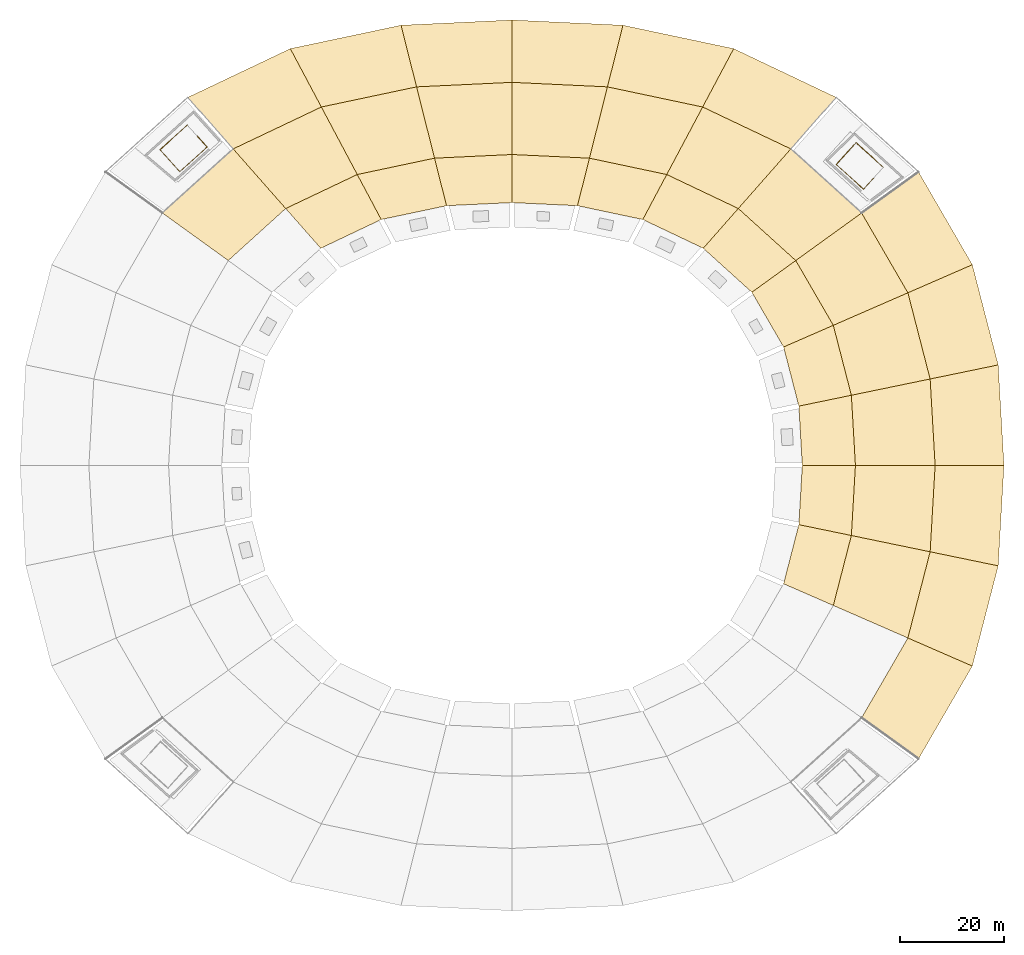
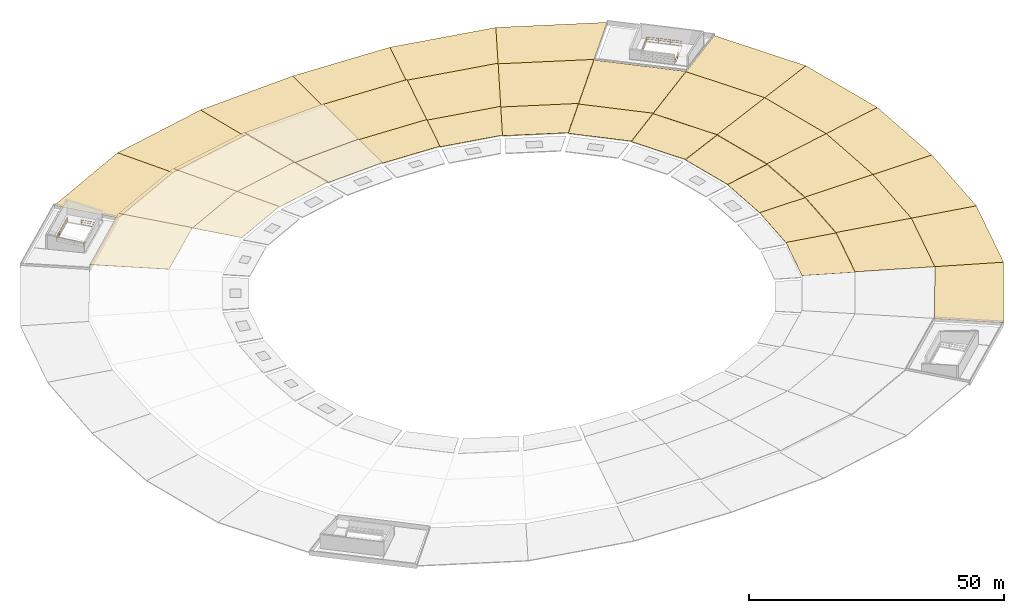
# One storey, part 5 of 5: 37 coverings, 2 railings.
"""IFC4 building model written with IfcOpenShell, lengths in metres."""

from ifc_helpers import new_model, si_unit, direction, frame, origin, origin_2d, place, context, subcontext, project, spatial, polyline, rectangle, outline, extrude, material, layer, layer_set, type_object, element, save


model = new_model("IFC4")

# Units and contexts
model_context = context("Model", 3, precision=1e-05, world=origin(), true_north=direction((0.0, 1.0)))
body_context = subcontext(model_context, "Body", "Model", "MODEL_VIEW")
ifc_project = project(units=[si_unit("LENGTHUNIT", "METRE"), si_unit("AREAUNIT", "SQUARE_METRE"), si_unit("VOLUMEUNIT", "CUBIC_METRE"), si_unit("PLANEANGLEUNIT", "RADIAN"), si_unit("MASSUNIT", "GRAM", prefix="KILO")], contexts=[model_context])

# Site, building, storey
site_placement = place(None, origin())
site = spatial("IfcSite", under=ifc_project, at=site_placement, CompositionType="ELEMENT")
building_placement = place(site_placement, origin())
building = spatial("IfcBuilding", under=site, at=building_placement, Name="Kazemori Nagisa Stadium", CompositionType="ELEMENT")
storey_placement = place(building_placement, frame((0.0, 0.0, 42.159912109375)))
storey = spatial("IfcBuildingStorey", under=building, at=storey_placement, Name="ROOF", CompositionType="ELEMENT", Elevation=42.159912109375)

# Coverings
ifc_material_1 = material(Name="PTFE architectural membrane", Category="membrane")
ifc_layer = layer(ifc_material_1, 0.0400390625, Name="PTFE architectural membrane", Category="membrane")
ifc_layer_set = layer_set([ifc_layer], Name="PTFE architectural membrane")
covering_type = type_object("IfcCoveringType", Name="Covering_PTFE", PredefinedType="ROOFING", material=ifc_layer_set)
covering_1_placement = place(storey_placement, frame((0.0, 0.0, 0.594970703125)))
element("IfcCovering", 1, at=covering_1_placement, inside=storey, type_object=covering_type, Name="PTFE canopy membrane B01-outer", PredefinedType="ROOFING", context=body_context, shape_type="SweptSolid", body=[
    extrude(outline(polyline([(218.0, 102.0), (216.880859375, 121.397705078125), (203.737548828125, 118.68212890625), (204.699951171875, 102.0), (218.0, 102.0)])), origin(), (0.0, 0.0, 1.0), 0.0400390625),
])
covering_2_placement = place(storey_placement, frame((0.0, 0.0, 0.594970703125)))
element("IfcCovering", 2, at=covering_2_placement, inside=storey, type_object=covering_type, Name="PTFE canopy membrane B01-mid", PredefinedType="ROOFING", context=body_context, shape_type="SweptSolid", body=[
    extrude(outline(polyline([(204.699951171875, 102.0), (203.737548828125, 118.68212890625), (188.52880859375, 115.53955078125), (189.31005859375, 102.0), (204.699951171875, 102.0)])), origin(), (0.0, 0.0, 1.0), 0.0400390625),
])
covering_3_placement = place(storey_placement, frame((0.0, 0.0, 0.43310546875)))
element("IfcCovering", 3, at=covering_3_placement, inside=storey, type_object=covering_type, Name="PTFE canopy membrane B01-inner", PredefinedType="ROOFING", context=body_context, shape_type="SweptSolid", body=[
    extrude(outline(polyline([(189.31005859375, 102.0), (188.52880859375, 115.53955078125), (178.3896484375, 113.444580078125), (179.050048828125, 102.0), (189.31005859375, 102.0)])), origin(), (0.0, 0.0, 1.0), 0.0400390625),
])
covering_4_placement = place(storey_placement, frame((0.0, 0.0, 0.594970703125)))
element("IfcCovering", 4, at=covering_4_placement, inside=storey, type_object=covering_type, Name="PTFE canopy membrane B02-outer", PredefinedType="ROOFING", context=body_context, shape_type="SweptSolid", body=[
    extrude(outline(polyline([(216.880859375, 121.397705078125), (211.885009765625, 140.74951171875), (199.44091796875, 135.32470703125), (203.737548828125, 118.68212890625), (216.880859375, 121.397705078125)])), origin(), (0.0, 0.0, 1.0), 0.0400390625),
])
covering_5_placement = place(storey_placement, frame((0.0, 0.0, 0.594970703125)))
element("IfcCovering", 5, at=covering_5_placement, inside=storey, type_object=covering_type, Name="PTFE canopy membrane B02-mid", PredefinedType="ROOFING", context=body_context, shape_type="SweptSolid", body=[
    extrude(outline(polyline([(203.737548828125, 118.68212890625), (199.44091796875, 135.32470703125), (185.041748046875, 129.047119140625), (188.52880859375, 115.53955078125), (203.737548828125, 118.68212890625)])), origin(), (0.0, 0.0, 1.0), 0.0400390625),
])
covering_6_placement = place(storey_placement, frame((0.0, 0.0, 0.487060546875)))
element("IfcCovering", 6, at=covering_6_placement, inside=storey, type_object=covering_type, Name="PTFE canopy membrane B02-inner", PredefinedType="ROOFING", context=body_context, shape_type="SweptSolid", body=[
    extrude(outline(polyline([(188.52880859375, 115.53955078125), (185.041748046875, 129.047119140625), (175.442138671875, 124.8623046875), (178.3896484375, 113.444580078125), (188.52880859375, 115.53955078125)])), origin(), (0.0, 0.0, 1.0), 0.0400390625),
])
covering_7_placement = place(storey_placement, frame((0.0, 0.0, 0.594970703125)))
element("IfcCovering", 7, at=covering_7_placement, inside=storey, type_object=covering_type, Name="PTFE canopy membrane B03-outer", PredefinedType="ROOFING", context=body_context, shape_type="SweptSolid", body=[
    extrude(outline(polyline([(211.885009765625, 140.74951171875), (201.495361328125, 158.667724609375), (190.506103515625, 150.734130859375), (199.44091796875, 135.32470703125), (211.885009765625, 140.74951171875)])), origin(), (0.0, 0.0, 1.0), 0.0400390625),
])
covering_8_placement = place(storey_placement, frame((0.0, 0.0, 0.594970703125)))
element("IfcCovering", 8, at=covering_8_placement, inside=storey, type_object=covering_type, Name="PTFE canopy membrane B03-mid", PredefinedType="ROOFING", context=body_context, shape_type="SweptSolid", body=[
    extrude(outline(polyline([(199.44091796875, 135.32470703125), (190.506103515625, 150.734130859375), (177.789794921875, 141.553955078125), (185.041748046875, 129.047119140625), (199.44091796875, 135.32470703125)])), origin(), (0.0, 0.0, 1.0), 0.0400390625),
])
covering_9_placement = place(storey_placement, frame((0.0, 0.0, 0.572998046875)))
element("IfcCovering", 9, at=covering_9_placement, inside=storey, type_object=covering_type, Name="PTFE canopy membrane B03-inner", PredefinedType="ROOFING", context=body_context, shape_type="SweptSolid", body=[
    extrude(outline(polyline([(185.041748046875, 129.047119140625), (177.789794921875, 141.553955078125), (169.312255859375, 135.433837890625), (175.442138671875, 124.8623046875), (185.041748046875, 129.047119140625)])), origin(), (0.0, 0.0, 1.0), 0.0400390625),
])
covering_10_placement = place(storey_placement, frame((0.0, 0.0, 0.68798828125)))
element("IfcCovering", 10, at=covering_10_placement, inside=storey, type_object=covering_type, Name="PTFE canopy membrane B04-mid", PredefinedType="ROOFING", context=body_context, shape_type="SweptSolid", body=[
    extrude(outline(polyline([(190.506103515625, 150.734130859375), (176.834228515625, 163.11083984375), (166.693359375, 151.59912109375), (177.789794921875, 141.553955078125), (190.506103515625, 150.734130859375)])), origin(), (0.0, 0.0, 1.0), 0.0400390625),
])
covering_11_placement = place(storey_placement, frame((0.0, 0.0, 0.68798828125)))
element("IfcCovering", 11, at=covering_11_placement, inside=storey, type_object=covering_type, Name="PTFE canopy membrane B04-inner", PredefinedType="ROOFING", context=body_context, shape_type="SweptSolid", body=[
    extrude(outline(polyline([(177.789794921875, 141.553955078125), (166.693359375, 151.59912109375), (159.932861328125, 143.9248046875), (169.312255859375, 135.433837890625), (177.789794921875, 141.553955078125)])), origin(), (0.0, 0.0, 1.0), 0.0400390625),
])
covering_12_placement = place(storey_placement, frame((0.0, 0.0, 0.594970703125)))
element("IfcCovering", 12, at=covering_12_placement, inside=storey, type_object=covering_type, Name="PTFE canopy membrane B05-outer", PredefinedType="ROOFING", context=body_context, shape_type="SweptSolid", body=[
    extrude(outline(polyline([(185.597900390625, 173.05908203125), (165.8046875, 182.46435546875), (159.81201171875, 171.19921875), (176.834228515625, 163.11083984375), (185.597900390625, 173.05908203125)])), origin(), (0.0, 0.0, 1.0), 0.0400390625),
])
covering_13_placement = place(storey_placement, frame((0.0, 0.0, 0.8251953125)))
element("IfcCovering", 13, at=covering_13_placement, inside=storey, type_object=covering_type, Name="PTFE canopy membrane B05-mid", PredefinedType="ROOFING", context=body_context, shape_type="SweptSolid", body=[
    extrude(outline(polyline([(176.834228515625, 163.11083984375), (159.81201171875, 171.19921875), (152.877685546875, 158.1640625), (166.693359375, 151.59912109375), (176.834228515625, 163.11083984375)])), origin(), (0.0, 0.0, 1.0), 0.039794921875),
])
covering_14_placement = place(storey_placement, frame((0.0, 0.0, 0.8251953125)))
element("IfcCovering", 14, at=covering_14_placement, inside=storey, type_object=covering_type, Name="PTFE canopy membrane B05-inner", PredefinedType="ROOFING", context=body_context, shape_type="SweptSolid", body=[
    extrude(outline(polyline([(166.693359375, 151.59912109375), (152.877685546875, 158.1640625), (148.2548828125, 149.473876953125), (159.932861328125, 143.9248046875), (166.693359375, 151.59912109375)])), origin(), (0.0, 0.0, 1.0), 0.039794921875),
])
covering_15_placement = place(storey_placement, frame((0.0, 0.0, 0.594970703125)))
element("IfcCovering", 15, at=covering_15_placement, inside=storey, type_object=covering_type, Name="PTFE canopy membrane B06-outer", PredefinedType="ROOFING", context=body_context, shape_type="SweptSolid", body=[
    extrude(outline(polyline([(165.8046875, 182.46435546875), (144.427734375, 186.98681640625), (141.427734375, 175.088623046875), (159.81201171875, 171.19921875), (165.8046875, 182.46435546875)])), origin(), (0.0, 0.0, 1.0), 0.0400390625),
])
covering_16_placement = place(storey_placement, frame((0.0, 0.0, 0.97900390625)))
element("IfcCovering", 16, at=covering_16_placement, inside=storey, type_object=covering_type, Name="PTFE canopy membrane B06-mid", PredefinedType="ROOFING", context=body_context, shape_type="SweptSolid", body=[
    extrude(outline(polyline([(159.81201171875, 171.19921875), (141.427734375, 175.088623046875), (137.95654296875, 161.32080078125), (152.877685546875, 158.1640625), (159.81201171875, 171.19921875)])), origin(), (0.0, 0.0, 1.0), 0.0400390625),
])
covering_17_placement = place(storey_placement, frame((0.0, 0.0, 0.97900390625)))
element("IfcCovering", 17, at=covering_17_placement, inside=storey, type_object=covering_type, Name="PTFE canopy membrane B06-inner", PredefinedType="ROOFING", context=body_context, shape_type="SweptSolid", body=[
    extrude(outline(polyline([(152.877685546875, 158.1640625), (137.95654296875, 161.32080078125), (135.642333984375, 152.142333984375), (148.2548828125, 149.473876953125), (152.877685546875, 158.1640625)])), origin(), (0.0, 0.0, 1.0), 0.0400390625),
])
covering_18_placement = place(storey_placement, frame((0.0, 0.0, 0.594970703125)))
element("IfcCovering", 18, at=covering_18_placement, inside=storey, type_object=covering_type, Name="PTFE canopy membrane B07-outer", PredefinedType="ROOFING", context=body_context, shape_type="SweptSolid", body=[
    extrude(outline(polyline([(144.427734375, 186.98681640625), (123.0, 188.0), (123.0, 175.9599609375), (141.427734375, 175.088623046875), (144.427734375, 186.98681640625)])), origin(), (0.0, 0.0, 1.0), 0.0400390625),
])
covering_19_placement = place(storey_placement, frame((0.0, 0.0, 1.14013671875)))
element("IfcCovering", 19, at=covering_19_placement, inside=storey, type_object=covering_type, Name="PTFE canopy membrane B07-mid", PredefinedType="ROOFING", context=body_context, shape_type="SweptSolid", body=[
    extrude(outline(polyline([(141.427734375, 175.088623046875), (123.0, 175.9599609375), (123.0, 162.028076171875), (137.95654296875, 161.32080078125), (141.427734375, 175.088623046875)])), origin(), (0.0, 0.0, 1.0), 0.0400390625),
])
covering_20_placement = place(storey_placement, frame((0.0, 0.0, 1.14013671875)))
element("IfcCovering", 20, at=covering_20_placement, inside=storey, type_object=covering_type, Name="PTFE canopy membrane B07-inner", PredefinedType="ROOFING", context=body_context, shape_type="SweptSolid", body=[
    extrude(outline(polyline([(137.95654296875, 161.32080078125), (123.0, 162.028076171875), (123.0, 152.739990234375), (135.642333984375, 152.142333984375), (137.95654296875, 161.32080078125)])), origin(), (0.0, 0.0, 1.0), 0.0400390625),
])
covering_21_placement = place(storey_placement, frame((0.0, 0.0, 0.594970703125)))
element("IfcCovering", 21, at=covering_21_placement, inside=storey, type_object=covering_type, Name="PTFE canopy membrane B08-outer", PredefinedType="ROOFING", context=body_context, shape_type="SweptSolid", body=[
    extrude(outline(polyline([(123.0, 188.0), (101.572265625, 186.98681640625), (104.572265625, 175.088623046875), (123.0, 175.9599609375), (123.0, 188.0)])), origin(), (0.0, 0.0, 1.0), 0.0400390625),
])
covering_22_placement = place(storey_placement, frame((0.0, 0.0, 1.301025390625)))
element("IfcCovering", 22, at=covering_22_placement, inside=storey, type_object=covering_type, Name="PTFE canopy membrane B08-mid", PredefinedType="ROOFING", context=body_context, shape_type="SweptSolid", body=[
    extrude(outline(polyline([(123.0, 175.9599609375), (104.572265625, 175.088623046875), (108.04345703125, 161.32080078125), (123.0, 162.028076171875), (123.0, 175.9599609375)])), origin(), (0.0, 0.0, 1.0), 0.0400390625),
])
covering_23_placement = place(storey_placement, frame((0.0, 0.0, 1.301025390625)))
element("IfcCovering", 23, at=covering_23_placement, inside=storey, type_object=covering_type, Name="PTFE canopy membrane B08-inner", PredefinedType="ROOFING", context=body_context, shape_type="SweptSolid", body=[
    extrude(outline(polyline([(123.0, 162.028076171875), (108.04345703125, 161.32080078125), (110.357666015625, 152.142333984375), (123.0, 152.739990234375), (123.0, 162.028076171875)])), origin(), (0.0, 0.0, 1.0), 0.0400390625),
])
covering_24_placement = place(storey_placement, frame((0.0, 0.0, 0.594970703125)))
element("IfcCovering", 24, at=covering_24_placement, inside=storey, type_object=covering_type, Name="PTFE canopy membrane B09-outer", PredefinedType="ROOFING", context=body_context, shape_type="SweptSolid", body=[
    extrude(outline(polyline([(101.572265625, 186.98681640625), (80.1953125, 182.46435546875), (86.18798828125, 171.19921875), (104.572265625, 175.088623046875), (101.572265625, 186.98681640625)])), origin(), (0.0, 0.0, 1.0), 0.0400390625),
])
covering_25_placement = place(storey_placement, frame((0.0, 0.0, 1.455078125)))
element("IfcCovering", 25, at=covering_25_placement, inside=storey, type_object=covering_type, Name="PTFE canopy membrane B09-mid", PredefinedType="ROOFING", context=body_context, shape_type="SweptSolid", body=[
    extrude(outline(polyline([(104.572265625, 175.088623046875), (86.18798828125, 171.19921875), (93.122314453125, 158.1640625), (108.04345703125, 161.32080078125), (104.572265625, 175.088623046875)])), origin(), (0.0, 0.0, 1.0), 0.0400390625),
])
covering_26_placement = place(storey_placement, frame((0.0, 0.0, 1.455078125)))
element("IfcCovering", 26, at=covering_26_placement, inside=storey, type_object=covering_type, Name="PTFE canopy membrane B09-inner", PredefinedType="ROOFING", context=body_context, shape_type="SweptSolid", body=[
    extrude(outline(polyline([(108.04345703125, 161.32080078125), (93.122314453125, 158.1640625), (97.7451171875, 149.473876953125), (110.357666015625, 152.142333984375), (108.04345703125, 161.32080078125)])), origin(), (0.0, 0.0, 1.0), 0.0400390625),
])
covering_27_placement = place(storey_placement, frame((0.0, 0.0, 0.594970703125)))
element("IfcCovering", 27, at=covering_27_placement, inside=storey, type_object=covering_type, Name="PTFE canopy membrane B10-outer", PredefinedType="ROOFING", context=body_context, shape_type="SweptSolid", body=[
    extrude(outline(polyline([(80.1953125, 182.46435546875), (60.402099609375, 173.05908203125), (69.165771484375, 163.11083984375), (86.18798828125, 171.19921875), (80.1953125, 182.46435546875)])), origin(), (0.0, 0.0, 1.0), 0.0400390625),
])
covering_28_placement = place(storey_placement, frame((0.0, 0.0, 1.592041015625)))
element("IfcCovering", 28, at=covering_28_placement, inside=storey, type_object=covering_type, Name="PTFE canopy membrane B10-mid", PredefinedType="ROOFING", context=body_context, shape_type="SweptSolid", body=[
    extrude(outline(polyline([(86.18798828125, 171.19921875), (69.165771484375, 163.11083984375), (79.306640625, 151.59912109375), (93.122314453125, 158.1640625), (86.18798828125, 171.19921875)])), origin(), (0.0, 0.0, 1.0), 0.0400390625),
])
covering_29_placement = place(storey_placement, frame((0.0, 0.0, 1.592041015625)))
element("IfcCovering", 29, at=covering_29_placement, inside=storey, type_object=covering_type, Name="PTFE canopy membrane B10-inner", PredefinedType="ROOFING", context=body_context, shape_type="SweptSolid", body=[
    extrude(outline(polyline([(93.122314453125, 158.1640625), (79.306640625, 151.59912109375), (86.067138671875, 143.9248046875), (97.7451171875, 149.473876953125), (93.122314453125, 158.1640625)])), origin(), (0.0, 0.0, 1.0), 0.0400390625),
])
covering_30_placement = place(storey_placement, frame((0.0, 0.0, 1.70703125)))
element("IfcCovering", 30, at=covering_30_placement, inside=storey, type_object=covering_type, Name="PTFE canopy membrane B11-mid", PredefinedType="ROOFING", context=body_context, shape_type="SweptSolid", body=[
    extrude(outline(polyline([(69.165771484375, 163.11083984375), (55.493896484375, 150.734130859375), (68.210205078125, 141.553955078125), (79.306640625, 151.59912109375), (69.165771484375, 163.11083984375)])), origin(), (0.0, 0.0, 1.0), 0.0400390625),
])
covering_31_placement = place(storey_placement, frame((0.0, 0.0, 0.594970703125)))
element("IfcCovering", 31, at=covering_31_placement, inside=storey, type_object=covering_type, Name="PTFE canopy membrane B26-outer", PredefinedType="ROOFING", context=body_context, shape_type="SweptSolid", body=[
    extrude(outline(polyline([(201.495361328125, 45.332275390625), (211.885009765625, 63.25048828125), (199.44091796875, 68.67529296875), (190.506103515625, 53.265869140625), (201.495361328125, 45.332275390625)])), origin(), (0.0, 0.0, 1.0), 0.0400390625),
])
covering_32_placement = place(storey_placement, frame((0.0, 0.0, 0.594970703125)))
element("IfcCovering", 32, at=covering_32_placement, inside=storey, type_object=covering_type, Name="PTFE canopy membrane B27-outer", PredefinedType="ROOFING", context=body_context, shape_type="SweptSolid", body=[
    extrude(outline(polyline([(211.885009765625, 63.25048828125), (216.880859375, 82.602294921875), (203.737548828125, 85.31787109375), (199.44091796875, 68.67529296875), (211.885009765625, 63.25048828125)])), origin(), (0.0, 0.0, 1.0), 0.0400390625),
])
covering_33_placement = place(storey_placement, frame((0.0, 0.0, 0.594970703125)))
element("IfcCovering", 33, at=covering_33_placement, inside=storey, type_object=covering_type, Name="PTFE canopy membrane B27-mid", PredefinedType="ROOFING", context=body_context, shape_type="SweptSolid", body=[
    extrude(outline(polyline([(199.44091796875, 68.67529296875), (203.737548828125, 85.31787109375), (188.52880859375, 88.46044921875), (185.041748046875, 74.952880859375), (199.44091796875, 68.67529296875)])), origin(), (0.0, 0.0, 1.0), 0.0400390625),
])
covering_34_placement = place(storey_placement, frame((0.0, 0.0, 0.487060546875)))
element("IfcCovering", 34, at=covering_34_placement, inside=storey, type_object=covering_type, Name="PTFE canopy membrane B27-inner", PredefinedType="ROOFING", context=body_context, shape_type="SweptSolid", body=[
    extrude(outline(polyline([(185.041748046875, 74.952880859375), (188.52880859375, 88.46044921875), (178.3896484375, 90.555419921875), (175.442138671875, 79.1376953125), (185.041748046875, 74.952880859375)])), origin(), (0.0, 0.0, 1.0), 0.0400390625),
])
covering_35_placement = place(storey_placement, frame((0.0, 0.0, 0.594970703125)))
element("IfcCovering", 35, at=covering_35_placement, inside=storey, type_object=covering_type, Name="PTFE canopy membrane B28-outer", PredefinedType="ROOFING", context=body_context, shape_type="SweptSolid", body=[
    extrude(outline(polyline([(216.880859375, 82.602294921875), (218.0, 102.0), (204.699951171875, 102.0), (203.737548828125, 85.31787109375), (216.880859375, 82.602294921875)])), origin(), (0.0, 0.0, 1.0), 0.0400390625),
])
covering_36_placement = place(storey_placement, frame((0.0, 0.0, 0.594970703125)))
element("IfcCovering", 36, at=covering_36_placement, inside=storey, type_object=covering_type, Name="PTFE canopy membrane B28-mid", PredefinedType="ROOFING", context=body_context, shape_type="SweptSolid", body=[
    extrude(outline(polyline([(203.737548828125, 85.31787109375), (204.699951171875, 102.0), (189.31005859375, 102.0), (188.52880859375, 88.46044921875), (203.737548828125, 85.31787109375)])), origin(), (0.0, 0.0, 1.0), 0.0400390625),
])
covering_37_placement = place(storey_placement, frame((0.0, 0.0, 0.43310546875)))
element("IfcCovering", 37, at=covering_37_placement, inside=storey, type_object=covering_type, Name="PTFE canopy membrane B28-inner", PredefinedType="ROOFING", context=body_context, shape_type="SweptSolid", body=[
    extrude(outline(polyline([(188.52880859375, 88.46044921875), (189.31005859375, 102.0), (179.050048828125, 102.0), (178.3896484375, 90.555419921875), (188.52880859375, 88.46044921875)])), origin(), (0.0, 0.0, 1.0), 0.0400390625),
])

# Railings
ifc_material_2 = material(Name="Galvanised powder-coated steel", Category="steel")
railing_type = type_object("IfcRailingType", Name="Rail_GUARD", PredefinedType="GUARDRAIL", material=ifc_material_2)
railing_1_placement = place(storey_placement, frame((192.7890625, 157.447021484375, 0.0)))
element("IfcRailing", 38, at=railing_1_placement, inside=storey, type_object=railing_type, Name="Stair well perimeter guard ST01-ROOF", PredefinedType="GUARDRAIL", context=body_context, shape_type="SweptSolid", body=[
    extrude(rectangle(XDim=0.050048828125, YDim=0.050048828125, at=origin_2d()), frame((0.0, 0.0, 1.09521484375), z_axis=(-0.671110696127, -0.741357156534, 0.0), x_axis=(0.741357156534, -0.671110696127, 0.0)), (0.0, 0.0, 1.0), 2.849853515625),
    extrude(rectangle(XDim=0.03759765625, YDim=0.03759765625, at=origin_2d()), frame((0.0, 0.0, 0.58251953125), z_axis=(-0.671110696127, -0.741357156534, 0.0), x_axis=(0.741357156534, -0.671110696127, 0.0)), (0.0, 0.0, 1.0), 2.849853515625),
    extrude(rectangle(XDim=0.03759765625, YDim=0.03759765625, at=origin_2d()), frame((0.0, 0.0, 0.02490234375), z_axis=(-0.671110696127, -0.741357156534, 0.0), x_axis=(0.741357156534, -0.671110696127, 0.0)), (0.0, 0.0, 1.0), 2.849853515625),
    extrude(rectangle(XDim=0.050048828125, YDim=0.050048828125, at=origin_2d()), frame((-1.91259765625, -2.11279296875, 1.09521484375), z_axis=(-0.741349073354, 0.671119625281, 0.0), x_axis=(-0.671119625281, -0.741349073354, 0.0)), (0.0, 0.0, 1.0), 7.09521484375),
    extrude(rectangle(XDim=0.03759765625, YDim=0.03759765625, at=origin_2d()), frame((-1.91259765625, -2.11279296875, 0.58251953125), z_axis=(-0.741349073354, 0.671119625281, 0.0), x_axis=(-0.671119625281, -0.741349073354, 0.0)), (0.0, 0.0, 1.0), 7.09521484375),
    extrude(rectangle(XDim=0.03759765625, YDim=0.03759765625, at=origin_2d()), frame((-1.91259765625, -2.11279296875, 0.02490234375), z_axis=(-0.741349073354, 0.671119625281, 0.0), x_axis=(-0.671119625281, -0.741349073354, 0.0)), (0.0, 0.0, 1.0), 7.09521484375),
    extrude(rectangle(XDim=0.050048828125, YDim=0.050048828125, at=origin_2d()), frame((-7.172607421875, 2.64892578125, 1.09521484375), z_axis=(0.67113423669, 0.74133584585, 0.0), x_axis=(-0.74133584585, 0.67113423669, 0.0)), (0.0, 0.0, 1.0), 5.699951171875),
    extrude(rectangle(XDim=0.03759765625, YDim=0.03759765625, at=origin_2d()), frame((-7.172607421875, 2.64892578125, 0.58251953125), z_axis=(0.67113423669, 0.74133584585, 0.0), x_axis=(-0.74133584585, 0.67113423669, 0.0)), (0.0, 0.0, 1.0), 5.699951171875),
    extrude(rectangle(XDim=0.03759765625, YDim=0.03759765625, at=origin_2d()), frame((-7.172607421875, 2.64892578125, 0.02490234375), z_axis=(0.67113423669, 0.74133584585, 0.0), x_axis=(-0.74133584585, 0.67113423669, 0.0)), (0.0, 0.0, 1.0), 5.699951171875),
    extrude(rectangle(XDim=0.050048828125, YDim=0.050048828125, at=origin_2d()), frame((-3.34716796875, 6.87451171875, 1.09521484375), z_axis=(0.741350695223, -0.671117833686, 0.0), x_axis=(0.671117833686, 0.741350695223, 0.0)), (0.0, 0.0, 1.0), 7.0947265625),
    extrude(rectangle(XDim=0.03759765625, YDim=0.03759765625, at=origin_2d()), frame((-3.34716796875, 6.87451171875, 0.58251953125), z_axis=(0.741350695223, -0.671117833686, 0.0), x_axis=(0.671117833686, 0.741350695223, 0.0)), (0.0, 0.0, 1.0), 7.0947265625),
    extrude(rectangle(XDim=0.03759765625, YDim=0.03759765625, at=origin_2d()), frame((-3.34716796875, 6.87451171875, 0.02490234375), z_axis=(0.741350695223, -0.671117833686, 0.0), x_axis=(0.671117833686, 0.741350695223, 0.0)), (0.0, 0.0, 1.0), 7.0947265625),
    extrude(rectangle(XDim=0.044921875, YDim=0.044921875, at=origin_2d()), origin(), (0.0, 0.0, 1.0), 1.070068359375),
    extrude(rectangle(XDim=0.044921875, YDim=0.044921875, at=origin_2d()), frame((-0.956298828125, -1.056396484375, 0.0)), (0.0, 0.0, 1.0), 1.070068359375),
    extrude(rectangle(XDim=0.044921875, YDim=0.044921875, at=origin_2d()), frame((-1.91259765625, -2.11279296875, 0.0)), (0.0, 0.0, 1.0), 1.070068359375),
    extrude(rectangle(XDim=0.044921875, YDim=0.044921875, at=origin_2d()), frame((-3.666015625, -0.525634765625, 0.0)), (0.0, 0.0, 1.0), 1.070068359375),
    extrude(rectangle(XDim=0.044921875, YDim=0.044921875, at=origin_2d()), frame((-5.419189453125, 1.061767578125, 0.0)), (0.0, 0.0, 1.0), 1.070068359375),
    extrude(rectangle(XDim=0.044921875, YDim=0.044921875, at=origin_2d()), frame((-7.172607421875, 2.64892578125, 0.0)), (0.0, 0.0, 1.0), 1.070068359375),
    extrude(rectangle(XDim=0.044921875, YDim=0.044921875, at=origin_2d()), frame((-5.8974609375, 4.057373046875, 0.0)), (0.0, 0.0, 1.0), 1.070068359375),
    extrude(rectangle(XDim=0.044921875, YDim=0.044921875, at=origin_2d()), frame((-4.622314453125, 5.466064453125, 0.0)), (0.0, 0.0, 1.0), 1.070068359375),
    extrude(rectangle(XDim=0.044921875, YDim=0.044921875, at=origin_2d()), frame((-3.34716796875, 6.87451171875, 0.0)), (0.0, 0.0, 1.0), 1.070068359375),
    extrude(rectangle(XDim=0.044921875, YDim=0.044921875, at=origin_2d()), frame((-1.593994140625, 5.287353515625, 0.0)), (0.0, 0.0, 1.0), 1.070068359375),
    extrude(rectangle(XDim=0.044921875, YDim=0.044921875, at=origin_2d()), frame((0.159423828125, 3.7001953125, 0.0)), (0.0, 0.0, 1.0), 1.070068359375),
    extrude(rectangle(XDim=0.044921875, YDim=0.044921875, at=origin_2d()), frame((1.91259765625, 2.113037109375, 0.0)), (0.0, 0.0, 1.0), 1.070068359375),
])
railing_2_placement = place(storey_placement, frame((62.20849609375, 165.59228515625, 0.0)))
element("IfcRailing", 39, at=railing_2_placement, inside=storey, type_object=railing_type, Name="Stair well perimeter guard ST02-ROOF", PredefinedType="GUARDRAIL", context=body_context, shape_type="SweptSolid", body=[
    extrude(rectangle(XDim=0.050048828125, YDim=0.050048828125, at=origin_2d()), frame((0.0, 0.0, 1.09521484375), z_axis=(0.671110696127, -0.741357156534, 0.0), x_axis=(0.741357156534, 0.671110696127, 0.0)), (0.0, 0.0, 1.0), 2.849853515625),
    extrude(rectangle(XDim=0.03759765625, YDim=0.03759765625, at=origin_2d()), frame((0.0, 0.0, 0.58251953125), z_axis=(0.671110696127, -0.741357156534, 0.0), x_axis=(0.741357156534, 0.671110696127, 0.0)), (0.0, 0.0, 1.0), 2.849853515625),
    extrude(rectangle(XDim=0.03759765625, YDim=0.03759765625, at=origin_2d()), frame((0.0, 0.0, 0.02490234375), z_axis=(0.671110696127, -0.741357156534, 0.0), x_axis=(0.741357156534, 0.671110696127, 0.0)), (0.0, 0.0, 1.0), 2.849853515625),
    extrude(rectangle(XDim=0.050048828125, YDim=0.050048828125, at=origin_2d()), frame((1.91259765625, -2.11279296875, 1.09521484375), z_axis=(-0.741333574744, -0.671136745349, 0.0), x_axis=(0.671136745349, -0.741333574744, 0.0)), (0.0, 0.0, 1.0), 7.094970703125),
    extrude(rectangle(XDim=0.03759765625, YDim=0.03759765625, at=origin_2d()), frame((1.91259765625, -2.11279296875, 0.58251953125), z_axis=(-0.741333574744, -0.671136745349, 0.0), x_axis=(0.671136745349, -0.741333574744, 0.0)), (0.0, 0.0, 1.0), 7.094970703125),
    extrude(rectangle(XDim=0.03759765625, YDim=0.03759765625, at=origin_2d()), frame((1.91259765625, -2.11279296875, 0.02490234375), z_axis=(-0.741333574744, -0.671136745349, 0.0), x_axis=(0.671136745349, -0.741333574744, 0.0)), (0.0, 0.0, 1.0), 7.094970703125),
    extrude(rectangle(XDim=0.050048828125, YDim=0.050048828125, at=origin_2d()), frame((-3.34716796875, -6.87451171875, 1.09521484375), z_axis=(-0.671112926645, 0.74135513736, 0.0), x_axis=(-0.74135513736, -0.671112926645, 0.0)), (0.0, 0.0, 1.0), 5.7001953125),
    extrude(rectangle(XDim=0.03759765625, YDim=0.03759765625, at=origin_2d()), frame((-3.34716796875, -6.87451171875, 0.58251953125), z_axis=(-0.671112926645, 0.74135513736, 0.0), x_axis=(-0.74135513736, -0.671112926645, 0.0)), (0.0, 0.0, 1.0), 5.7001953125),
    extrude(rectangle(XDim=0.03759765625, YDim=0.03759765625, at=origin_2d()), frame((-3.34716796875, -6.87451171875, 0.02490234375), z_axis=(-0.671112926645, 0.74135513736, 0.0), x_axis=(-0.74135513736, -0.671112926645, 0.0)), (0.0, 0.0, 1.0), 5.7001953125),
    extrude(rectangle(XDim=0.050048828125, YDim=0.050048828125, at=origin_2d()), frame((-7.172607421875, -2.648681640625, 1.09521484375), z_axis=(0.741366193318, 0.67110071331, 0.0), x_axis=(-0.67110071331, 0.741366193318, 0.0)), (0.0, 0.0, 1.0), 7.094970703125),
    extrude(rectangle(XDim=0.03759765625, YDim=0.03759765625, at=origin_2d()), frame((-7.172607421875, -2.648681640625, 0.58251953125), z_axis=(0.741366193318, 0.67110071331, 0.0), x_axis=(-0.67110071331, 0.741366193318, 0.0)), (0.0, 0.0, 1.0), 7.094970703125),
    extrude(rectangle(XDim=0.03759765625, YDim=0.03759765625, at=origin_2d()), frame((-7.172607421875, -2.648681640625, 0.02490234375), z_axis=(0.741366193318, 0.67110071331, 0.0), x_axis=(-0.67110071331, 0.741366193318, 0.0)), (0.0, 0.0, 1.0), 7.094970703125),
    extrude(rectangle(XDim=0.044921875, YDim=0.044921875, at=origin_2d()), origin(), (0.0, 0.0, 1.0), 1.070068359375),
    extrude(rectangle(XDim=0.044921875, YDim=0.044921875, at=origin_2d()), frame((0.956298828125, -1.056396484375, 0.0)), (0.0, 0.0, 1.0), 1.070068359375),
    extrude(rectangle(XDim=0.044921875, YDim=0.044921875, at=origin_2d()), frame((1.91259765625, -2.11279296875, 0.0)), (0.0, 0.0, 1.0), 1.070068359375),
    extrude(rectangle(XDim=0.044921875, YDim=0.044921875, at=origin_2d()), frame((0.159423828125, -3.699951171875, 0.0)), (0.0, 0.0, 1.0), 1.070068359375),
    extrude(rectangle(XDim=0.044921875, YDim=0.044921875, at=origin_2d()), frame((-1.593994140625, -5.287353515625, 0.0)), (0.0, 0.0, 1.0), 1.070068359375),
    extrude(rectangle(XDim=0.044921875, YDim=0.044921875, at=origin_2d()), frame((-3.34716796875, -6.87451171875, 0.0)), (0.0, 0.0, 1.0), 1.070068359375),
    extrude(rectangle(XDim=0.044921875, YDim=0.044921875, at=origin_2d()), frame((-4.622314453125, -5.4658203125, 0.0)), (0.0, 0.0, 1.0), 1.070068359375),
    extrude(rectangle(XDim=0.044921875, YDim=0.044921875, at=origin_2d()), frame((-5.8974609375, -4.057373046875, 0.0)), (0.0, 0.0, 1.0), 1.070068359375),
    extrude(rectangle(XDim=0.044921875, YDim=0.044921875, at=origin_2d()), frame((-7.172607421875, -2.648681640625, 0.0)), (0.0, 0.0, 1.0), 1.070068359375),
    extrude(rectangle(XDim=0.044921875, YDim=0.044921875, at=origin_2d()), frame((-5.419189453125, -1.0615234375, 0.0)), (0.0, 0.0, 1.0), 1.070068359375),
    extrude(rectangle(XDim=0.044921875, YDim=0.044921875, at=origin_2d()), frame((-3.666015625, 0.525634765625, 0.0)), (0.0, 0.0, 1.0), 1.070068359375),
    extrude(rectangle(XDim=0.044921875, YDim=0.044921875, at=origin_2d()), frame((-1.91259765625, 2.11279296875, 0.0)), (0.0, 0.0, 1.0), 1.070068359375),
])

save(model, "model.ifc")
